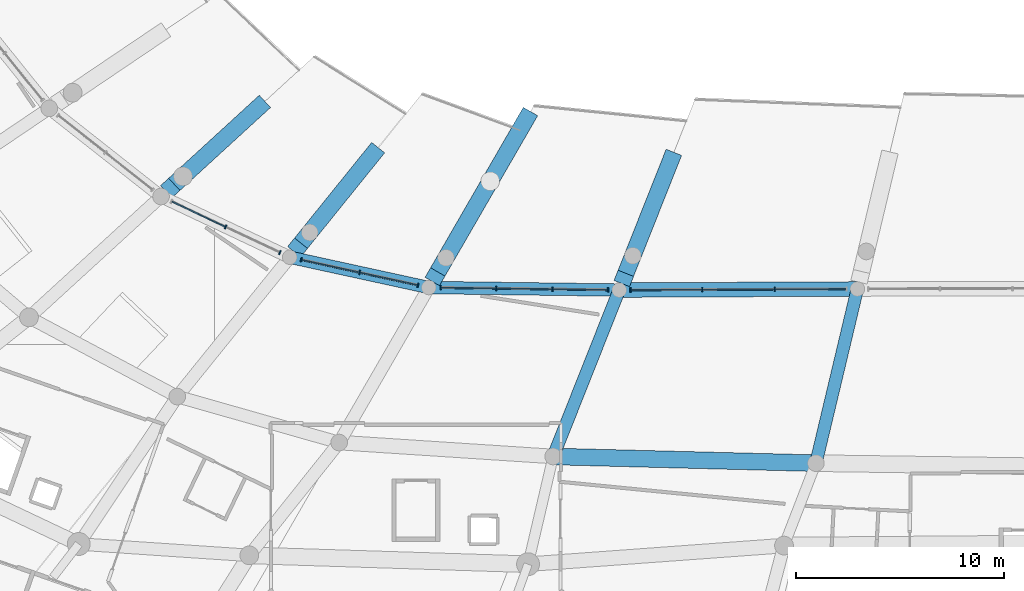
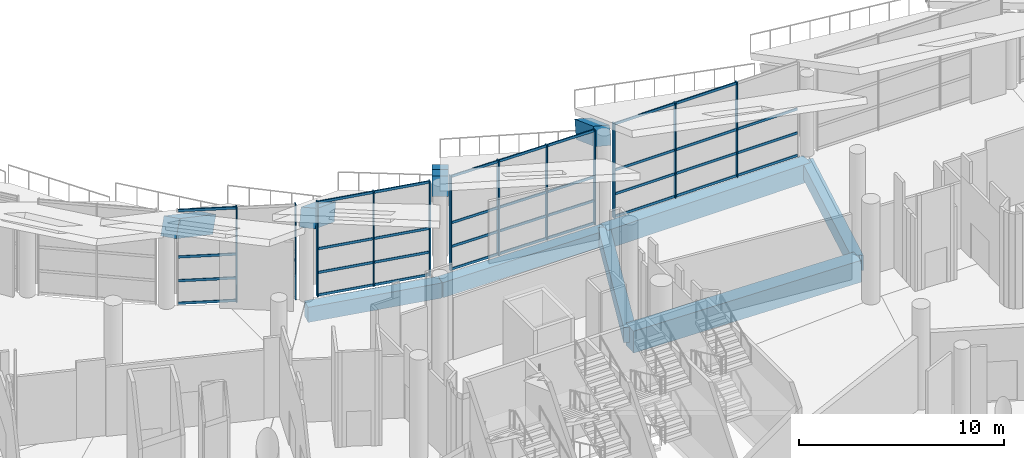
# One storey, part 17 of 249: 47 members, 11 beams, 4 elements without a shape of their own.
"""IFC4 building model written with IfcOpenShell, lengths in metres."""

import ifcopenshell
import ifcopenshell.guid

model = None  # the IFC model being written
_history = None  # IfcOwnerHistory: only IFC2X3 demands one
_inside = {}  # id of a spatial element -> (the spatial element, [elements in it])
_under = {}  # id of a project, library or spatial element -> (it, [spatial elements below it])
_declared = {}  # id of a project -> (the project, [libraries it declares])
_typed = {}  # id of a type object -> (the type object, [elements of that type])
_made_of = {}  # id of a material, layer set ... -> (it, [elements and type objects made of it])


def new_model(schema):
    """Start an empty IFC model of exactly this schema.

    Asked for "IFC4X3", IfcOpenShell would pick the latest addendum, in which some entities
    have other attributes; the version numbers below select the first issue.
    IFC2X3 requires an IfcOwnerHistory on every rooted entity: one is made here for all.
    """
    global model, _history
    if schema == "IFC4X3":
        model = ifcopenshell.file(schema_version=(4, 3, 0, 0))
    else:
        model = ifcopenshell.file(schema=schema)
    _inside.clear()
    _under.clear()
    _declared.clear()
    _typed.clear()
    _made_of.clear()
    _history = None
    if model.schema == "IFC2X3":
        org = make("IfcOrganization", Name="unknown")
        user = make(
            "IfcPersonAndOrganization",
            ThePerson=make("IfcPerson", FamilyName="unknown"),
            TheOrganization=org,
        )
        app = make(
            "IfcApplication",
            ApplicationDeveloper=org,
            Version="unknown",
            ApplicationFullName="unknown",
            ApplicationIdentifier="unknown",
        )
        _history = make(
            "IfcOwnerHistory",
            OwningUser=user,
            OwningApplication=app,
            ChangeAction="ADDED",
            CreationDate=0,
        )
    return model


def make(cls, **values):
    """One entity of the class cls with the attributes given. An attribute that is None is left unset."""
    return model.create_entity(
        cls, **{name: value for name, value in values.items() if value is not None}
    )


def rooted(cls, **values):
    """An entity with a GlobalId (a new one), such as an element, a storey or a relation."""
    return make(cls, GlobalId=ifcopenshell.guid.new(), OwnerHistory=_history, **values)


def si_unit(unit_type, name, prefix=None):
    """IfcSIUnit, for example si_unit("LENGTHUNIT", "METRE", prefix="MILLI")."""
    return make("IfcSIUnit", UnitType=unit_type, Prefix=prefix, Name=name)


def assignment(units):
    """IfcUnitAssignment: the units of a project."""
    return None if units is None else make("IfcUnitAssignment", Units=units)


def point(xyz):
    """IfcCartesianPoint."""
    return None if xyz is None else make("IfcCartesianPoint", Coordinates=xyz)


def direction(xyz):
    """IfcDirection."""
    return None if xyz is None else make("IfcDirection", DirectionRatios=xyz)


def frame(location, z_axis=None, x_axis=None):
    """IfcAxis2Placement3D, a coordinate frame: its origin and axes. An axis left out is left unset."""
    return make(
        "IfcAxis2Placement3D",
        Location=point(location),
        Axis=direction(z_axis),
        RefDirection=direction(x_axis),
    )


def frame_2d(location, x_axis=None):
    """IfcAxis2Placement2D, a coordinate frame in the plane: its origin and x axis."""
    return make(
        "IfcAxis2Placement2D", Location=point(location), RefDirection=direction(x_axis)
    )


def origin():
    """The frame at (0, 0, 0) with its axes left unset."""
    return frame((0.0, 0.0, 0.0))


def origin_2d():
    """The frame at (0, 0) in the plane with its x axis left unset."""
    return frame_2d((0.0, 0.0))


def place(relative_to, where):
    """IfcLocalPlacement: puts the frame where relative to a parent placement (None: the world)."""
    return make(
        "IfcLocalPlacement", PlacementRelTo=relative_to, RelativePlacement=where
    )


def context(
    kind, dimensions, precision=None, world=None, true_north=None, identifier=None
):
    """IfcGeometricRepresentationContext, for example the 3D "Model" context."""
    return make(
        "IfcGeometricRepresentationContext",
        ContextIdentifier=identifier,
        ContextType=kind,
        CoordinateSpaceDimension=dimensions,
        Precision=precision,
        WorldCoordinateSystem=world,
        TrueNorth=true_north,
    )


def subcontext(parent, identifier, kind, view, scale=None):
    """IfcGeometricRepresentationSubContext, for example "Body" below "Model"."""
    return make(
        "IfcGeometricRepresentationSubContext",
        ContextIdentifier=identifier,
        ContextType=kind,
        ParentContext=parent,
        TargetScale=scale,
        TargetView=view,
    )


def project(units=None, contexts=None):
    """IfcProject with its units and contexts."""
    return rooted(
        "IfcProject",
        Name="project",
        RepresentationContexts=contexts,
        UnitsInContext=assignment(units),
    )


def spatial(cls, under=None, at=None, **own):
    """A site, building, storey or space (cls), placed at a placement, below another one or the project."""
    s = rooted(cls, ObjectPlacement=at, **own)
    if under is not None:
        _under.setdefault(under.id(), (under, []))[1].append(s)
    return s


def profile(cls, at=None, kind="AREA", **sizes):
    """A parametric profile (cls). Its sizes go by their IFC names, for example OverallWidth=200.0."""
    return make(cls, ProfileType=kind, Position=at, **sizes)


def rectangle(**sizes):
    """IfcRectangleProfileDef."""
    return profile("IfcRectangleProfileDef", **sizes)


def extrude(swept, where, along, depth):
    """IfcExtrudedAreaSolid: the profile swept, set in the frame where, extruded along a direction by depth."""
    return make(
        "IfcExtrudedAreaSolid",
        SweptArea=swept,
        Position=where,
        ExtrudedDirection=direction(along),
        Depth=depth,
    )


def shape(context_of_items, identifier, shape_type, items):
    """IfcShapeRepresentation: the items that make up one representation, for example the "Body"."""
    return make(
        "IfcShapeRepresentation",
        ContextOfItems=context_of_items,
        RepresentationIdentifier=identifier,
        RepresentationType=shape_type,
        Items=items,
    )


def material(Name=None, Category=None):
    """IfcMaterial."""
    return make("IfcMaterial", Name=Name, Category=Category)


def layer(
    of_material, thickness, ventilated=None, Name=None, Category=None, Priority=None
):
    """IfcMaterialLayer: one layer of a wall or slab, of a material (None: an air gap)."""
    return make(
        "IfcMaterialLayer",
        Material=of_material,
        LayerThickness=thickness,
        IsVentilated=ventilated,
        Name=Name,
        Category=Category,
        Priority=Priority,
    )


def layer_set(layers, Name=None):
    """IfcMaterialLayerSet."""
    return make("IfcMaterialLayerSet", MaterialLayers=layers, LayerSetName=Name)


def material_profile(
    of_material, cross_section, Name=None, Category=None, Priority=None
):
    """IfcMaterialProfile: a cross section and its material."""
    return make(
        "IfcMaterialProfile",
        Name=Name,
        Material=of_material,
        Profile=cross_section,
        Priority=Priority,
        Category=Category,
    )


def profile_set(profiles, Name=None, composite=None):
    """IfcMaterialProfileSet."""
    return make(
        "IfcMaterialProfileSet",
        Name=Name,
        MaterialProfiles=profiles,
        CompositeProfile=composite,
    )


def made_of(thing, what):
    """Note that an element or type object is made of a material, layer set ...; save() writes the relation."""
    if what is not None:
        _made_of.setdefault(what.id(), (what, []))[1].append(thing)
    return thing


def type_object(cls, material=None, **own):
    """A type object (cls), such as IfcWallType, which elements share."""
    return made_of(rooted(cls, **own), material)


def element(
    cls,
    number,
    at=None,
    inside=None,
    cuts=None,
    type_object=None,
    material=None,
    context=None,
    identifier="Body",
    shape_type=None,
    held_by="IfcProductDefinitionShape",
    body=None,
    shapes=None,
    **own,
):
    """One element of the class cls, such as IfcWall. Its Tag is "e" and its number.

    at: its placement. inside: the storey or other place that contains it. cuts: it is an
    opening in that element (IfcRelVoidsElement). A single representation is given by context,
    identifier, shape_type and body (its items); several are given by shapes. held_by: the class
    of the entity that holds the representations. save() writes the other relations.
    """
    e = rooted(cls, Tag="e%d" % number, ObjectPlacement=at, **own)
    if body is not None:
        shapes = [shape(context, identifier, shape_type, body)]
    if shapes is not None:
        e.Representation = make(held_by, Representations=shapes)
    if inside is not None:
        _inside.setdefault(inside.id(), (inside, []))[1].append(e)
    if cuts is not None:
        rooted(
            "IfcRelVoidsElement", RelatingBuildingElement=cuts, RelatedOpeningElement=e
        )
    if type_object is not None:
        _typed.setdefault(type_object.id(), (type_object, []))[1].append(e)
    return made_of(e, material)


def aggregate(whole, parts):
    """IfcRelAggregates: a whole, such as a stair, and the parts it consists of."""
    return rooted("IfcRelAggregates", RelatingObject=whole, RelatedObjects=parts)


def save(model, path):
    """Write the relations noted so far, then the file.

    IfcRelAggregates (storeys below a building ...), IfcRelContainedInSpatialStructure (elements
    in a storey), IfcRelDefinesByType, IfcRelAssociatesMaterial and IfcRelDeclares: one each for
    every whole, place, type object, material and project.
    """
    for whole, parts in _under.values():
        aggregate(whole, parts)
    for where, things in _inside.values():
        rooted(
            "IfcRelContainedInSpatialStructure",
            RelatedElements=things,
            RelatingStructure=where,
        )
    for kind, things in _typed.values():
        rooted("IfcRelDefinesByType", RelatedObjects=things, RelatingType=kind)
    for what, things in _made_of.values():
        rooted("IfcRelAssociatesMaterial", RelatedObjects=things, RelatingMaterial=what)
    for by, libraries in _declared.values():
        rooted("IfcRelDeclares", RelatingContext=by, RelatedDefinitions=libraries)
    model.write(path)


model = new_model("IFC4")

# Units and contexts
model_context = context("Model", 3, precision=1e-05, world=origin(), true_north=direction((0.0, 1.0)))
body_context = subcontext(model_context, "Body", "Model", "MODEL_VIEW")
ifc_project = project(units=[si_unit("LENGTHUNIT", "METRE"), si_unit("AREAUNIT", "SQUARE_METRE"), si_unit("VOLUMEUNIT", "CUBIC_METRE"), si_unit("PLANEANGLEUNIT", "RADIAN"), si_unit("MASSUNIT", "GRAM", prefix="KILO")], contexts=[model_context])

# Site, building, storey
site_placement = place(None, origin())
site = spatial("IfcSite", under=ifc_project, at=site_placement, CompositionType="ELEMENT")
building_placement = place(site_placement, origin())
building = spatial("IfcBuilding", under=site, at=building_placement, Name="Meseta Stadium", CompositionType="ELEMENT")
storey_placement = place(building_placement, frame((0.0, 0.0, 12.0)))
storey = spatial("IfcBuildingStorey", under=building, at=storey_placement, Name="L02", CompositionType="ELEMENT", Elevation=12.0)

# Curtain wall, members
ifc_material_1 = material(Name="Aluminium", Category="aluminium")
ifc_layer = layer(ifc_material_1, 0.199951171875)
ifc_layer_set = layer_set([ifc_layer], Name="Suite glazing curtain wall")
curtain_wall_type = type_object("IfcCurtainWallType", Name="Suite glazing curtain wall", PredefinedType="NOTDEFINED", material=ifc_layer_set)
curtain_wall_1_placement = place(storey_placement, origin())
curtain_wall_1 = element("IfcCurtainWall", 1, at=curtain_wall_1_placement, inside=storey, type_object=curtain_wall_type, Name="Suite glazing bay 41", PredefinedType="NOTDEFINED")
ifc_material_2 = material(Name="Aluminium", Category="aluminium")
ifc_material_profile_1 = material_profile(ifc_material_2, rectangle(XDim=0.199951171875, YDim=0.06005859375, at=origin_2d()), Name="CW 200x60")
ifc_profile_set_1 = profile_set([ifc_material_profile_1], Name="Aluminium")
member_type_1 = type_object("IfcMemberType", Name="CW mullion 60x200", PredefinedType="MULLION", material=ifc_profile_set_1)
member_1_placement = place(storey_placement, frame((-47.4697265625, -74.352783203125, 0.0), z_axis=(0.0, 0.0, 1.0), x_axis=(0.426837356076, 0.904328409074, 0.0)))
member_1 = element("IfcMember", 2, at=member_1_placement, type_object=member_type_1, Name="CWS mullion 2", PredefinedType="MULLION", context=body_context, shape_type="SweptSolid", body=[
    extrude(rectangle(XDim=0.199951171875, YDim=0.06005859375, at=origin_2d()), origin(), (0.0, 0.0, 1.0), 5.64990234375),
])
member_2_placement = place(storey_placement, frame((-44.86279296875, -75.583251953125, 0.0), z_axis=(0.0, 0.0, 1.0), x_axis=(0.426837356076, 0.904328409074, 0.0)))
member_2 = element("IfcMember", 3, at=member_2_placement, type_object=member_type_1, Name="CWS mullion 3", PredefinedType="MULLION", context=body_context, shape_type="SweptSolid", body=[
    extrude(rectangle(XDim=0.199951171875, YDim=0.06005859375, at=origin_2d()), origin(), (0.0, 0.0, 1.0), 5.64990234375),
])

curtain_wall_2_placement = place(storey_placement, origin())
curtain_wall_2 = element("IfcCurtainWall", 4, at=curtain_wall_2_placement, inside=storey, type_object=curtain_wall_type, Name="Suite glazing bay 42", PredefinedType="NOTDEFINED")
member_3_placement = place(storey_placement, frame((-43.83740234375, -75.9267578125, 0.0), z_axis=(0.0, 0.0, 1.0), x_axis=(0.21291694712, 0.977070301273, 0.0)))
member_3 = element("IfcMember", 5, at=member_3_placement, type_object=member_type_1, Name="CWS mullion 1", PredefinedType="MULLION", context=body_context, shape_type="SweptSolid", body=[
    extrude(rectangle(XDim=0.199951171875, YDim=0.06005859375, at=origin_2d()), origin(), (0.0, 0.0, 1.0), 5.64990234375),
])
member_4_placement = place(storey_placement, frame((-41.034912109375, -76.53759765625, 0.0), z_axis=(0.0, 0.0, 1.0), x_axis=(0.21291694712, 0.977070301273, 0.0)))
member_4 = element("IfcMember", 6, at=member_4_placement, type_object=member_type_1, Name="CWS mullion 2", PredefinedType="MULLION", context=body_context, shape_type="SweptSolid", body=[
    extrude(rectangle(XDim=0.199951171875, YDim=0.06005859375, at=origin_2d()), origin(), (0.0, 0.0, 1.0), 5.64990234375),
])
member_5_placement = place(storey_placement, frame((-38.232421875, -77.148193359375, 0.0), z_axis=(0.0, 0.0, 1.0), x_axis=(0.21291694712, 0.977070301273, 0.0)))
member_5 = element("IfcMember", 7, at=member_5_placement, type_object=member_type_1, Name="CWS mullion 3", PredefinedType="MULLION", context=body_context, shape_type="SweptSolid", body=[
    extrude(rectangle(XDim=0.199951171875, YDim=0.06005859375, at=origin_2d()), origin(), (0.0, 0.0, 1.0), 5.64990234375),
])

curtain_wall_3_placement = place(storey_placement, origin())
curtain_wall_3 = element("IfcCurtainWall", 8, at=curtain_wall_3_placement, inside=storey, type_object=curtain_wall_type, Name="Suite glazing bay 43", PredefinedType="NOTDEFINED")
member_6_placement = place(storey_placement, frame((-37.1328125, -77.269287109375, 0.0), z_axis=(0.0, 0.0, 1.0), x_axis=(0.013281177042, 0.999911801279, 0.0)))
member_6 = element("IfcMember", 9, at=member_6_placement, type_object=member_type_1, Name="CWS mullion 1", PredefinedType="MULLION", context=body_context, shape_type="SweptSolid", body=[
    extrude(rectangle(XDim=0.199951171875, YDim=0.06005859375, at=origin_2d()), origin(), (0.0, 0.0, 1.0), 5.64990234375),
])
member_7_placement = place(storey_placement, frame((-34.4677734375, -77.3046875, 0.0), z_axis=(0.0, 0.0, 1.0), x_axis=(0.013281177042, 0.999911801279, 0.0)))
member_7 = element("IfcMember", 10, at=member_7_placement, type_object=member_type_1, Name="CWS mullion 2", PredefinedType="MULLION", context=body_context, shape_type="SweptSolid", body=[
    extrude(rectangle(XDim=0.199951171875, YDim=0.06005859375, at=origin_2d()), origin(), (0.0, 0.0, 1.0), 5.64990234375),
])
member_8_placement = place(storey_placement, frame((-31.7724609375, -77.340576171875, 0.0), z_axis=(0.0, 0.0, 1.0), x_axis=(0.013281177042, 0.999911801279, 0.0)))
member_8 = element("IfcMember", 11, at=member_8_placement, type_object=member_type_1, Name="CWS mullion 3", PredefinedType="MULLION", context=body_context, shape_type="SweptSolid", body=[
    extrude(rectangle(XDim=0.199951171875, YDim=0.06005859375, at=origin_2d()), origin(), (0.0, 0.0, 1.0), 5.64990234375),
])
member_9_placement = place(storey_placement, frame((-29.107421875, -77.3759765625, 0.0), z_axis=(0.0, 0.0, 1.0), x_axis=(0.013281177042, 0.999911801279, 0.0)))
member_9 = element("IfcMember", 12, at=member_9_placement, type_object=member_type_1, Name="CWS mullion 4", PredefinedType="MULLION", context=body_context, shape_type="SweptSolid", body=[
    extrude(rectangle(XDim=0.199951171875, YDim=0.06005859375, at=origin_2d()), origin(), (0.0, 0.0, 1.0), 5.64990234375),
])

curtain_wall_4_placement = place(storey_placement, origin())
curtain_wall_4 = element("IfcCurtainWall", 13, at=curtain_wall_4_placement, inside=storey, type_object=curtain_wall_type, Name="Suite glazing bay 44", PredefinedType="NOTDEFINED")
member_10_placement = place(storey_placement, frame((-28.0185546875, -77.380859375, 0.0), z_axis=(0.0, 0.0, 1.0), x_axis=(-0.004468565348, 0.999990015912, 0.0)))
member_10 = element("IfcMember", 14, at=member_10_placement, type_object=member_type_1, Name="CWS mullion 1", PredefinedType="MULLION", context=body_context, shape_type="SweptSolid", body=[
    extrude(rectangle(XDim=0.199951171875, YDim=0.06005859375, at=origin_2d()), origin(), (0.0, 0.0, 1.0), 5.64990234375),
])
member_11_placement = place(storey_placement, frame((-24.572265625, -77.365478515625, 0.0), z_axis=(0.0, 0.0, 1.0), x_axis=(-0.004468565348, 0.999990015912, 0.0)))
member_11 = element("IfcMember", 15, at=member_11_placement, type_object=member_type_1, Name="CWS mullion 2", PredefinedType="MULLION", context=body_context, shape_type="SweptSolid", body=[
    extrude(rectangle(XDim=0.199951171875, YDim=0.06005859375, at=origin_2d()), origin(), (0.0, 0.0, 1.0), 5.64990234375),
])
member_12_placement = place(storey_placement, frame((-21.095947265625, -77.349853515625, 0.0), z_axis=(0.0, 0.0, 1.0), x_axis=(-0.004468565348, 0.999990015912, 0.0)))
member_12 = element("IfcMember", 16, at=member_12_placement, type_object=member_type_1, Name="CWS mullion 3", PredefinedType="MULLION", context=body_context, shape_type="SweptSolid", body=[
    extrude(rectangle(XDim=0.199951171875, YDim=0.06005859375, at=origin_2d()), origin(), (0.0, 0.0, 1.0), 5.64990234375),
])

# Member
ifc_material_3 = material(Name="Aluminium", Category="aluminium")
ifc_material_profile_2 = material_profile(ifc_material_3, rectangle(XDim=0.06005859375, YDim=0.14990234375, at=origin_2d()), Name="CW 60x150")
ifc_profile_set_2 = profile_set([ifc_material_profile_2], Name="Aluminium")
member_type_2 = type_object("IfcMemberType", Name="CW transom 60x150", PredefinedType="USERDEFINED", material=ifc_profile_set_2)
member_13_placement = place(storey_placement, frame((-50.04931640625, -73.13525390625, 0.074951171875), z_axis=(0.904318213738, -0.426858955982, 0.0), x_axis=(0.426858955982, 0.904318213738, 0.0)))
member_13 = element("IfcMember", 17, at=member_13_placement, type_object=member_type_2, Name="CWS transom 1.1", ObjectType="TRANSOM", PredefinedType="USERDEFINED", context=body_context, shape_type="SweptSolid", body=[
    extrude(rectangle(XDim=0.06005859375, YDim=0.14990234375, at=origin_2d()), origin(), (0.0, 0.0, 1.0), 2.822509765625),
])

member_14_placement = place(storey_placement, frame((-50.04931640625, -73.13525390625, 1.41259765625), z_axis=(0.904318213738, -0.426858955982, 0.0), x_axis=(0.426858955982, 0.904318213738, 0.0)))
member_14 = element("IfcMember", 18, at=member_14_placement, type_object=member_type_2, Name="CWS transom 1.2", ObjectType="TRANSOM", PredefinedType="USERDEFINED", context=body_context, shape_type="SweptSolid", body=[
    extrude(rectangle(XDim=0.06005859375, YDim=0.14990234375, at=origin_2d()), origin(), (0.0, 0.0, 1.0), 2.822509765625),
])

member_15_placement = place(storey_placement, frame((-50.04931640625, -73.13525390625, 2.824951171875), z_axis=(0.904318213738, -0.426858955982, 0.0), x_axis=(0.426858955982, 0.904318213738, 0.0)))
member_15 = element("IfcMember", 19, at=member_15_placement, type_object=member_type_2, Name="CWS transom 1.3", ObjectType="TRANSOM", PredefinedType="USERDEFINED", context=body_context, shape_type="SweptSolid", body=[
    extrude(rectangle(XDim=0.06005859375, YDim=0.14990234375, at=origin_2d()), origin(), (0.0, 0.0, 1.0), 2.822509765625),
])

member_16_placement = place(storey_placement, frame((-50.04931640625, -73.13525390625, 5.574951171875), z_axis=(0.904318213738, -0.426858955982, 0.0), x_axis=(0.426858955982, 0.904318213738, 0.0)))
member_16 = element("IfcMember", 20, at=member_16_placement, type_object=member_type_2, Name="CWS transom 1.4", ObjectType="TRANSOM", PredefinedType="USERDEFINED", context=body_context, shape_type="SweptSolid", body=[
    extrude(rectangle(XDim=0.06005859375, YDim=0.14990234375, at=origin_2d()), origin(), (0.0, 0.0, 1.0), 2.822509765625),
])

aggregate(curtain_wall_1, [member_1, member_2, member_13, member_14, member_15, member_16])

member_17_placement = place(storey_placement, frame((-43.80810546875, -75.933349609375, 0.074951171875), z_axis=(0.977072677928, -0.212906040417, 0.0), x_axis=(0.212906040417, 0.977072677928, 0.0)))
member_17 = element("IfcMember", 21, at=member_17_placement, type_object=member_type_2, Name="CWS transom 1.1", ObjectType="TRANSOM", PredefinedType="USERDEFINED", context=body_context, shape_type="SweptSolid", body=[
    extrude(rectangle(XDim=0.06005859375, YDim=0.14990234375, at=origin_2d()), origin(), (0.0, 0.0, 1.0), 2.808349609375),
])

member_18_placement = place(storey_placement, frame((-43.80810546875, -75.933349609375, 1.41259765625), z_axis=(0.977072677928, -0.212906040417, 0.0), x_axis=(0.212906040417, 0.977072677928, 0.0)))
member_18 = element("IfcMember", 22, at=member_18_placement, type_object=member_type_2, Name="CWS transom 1.2", ObjectType="TRANSOM", PredefinedType="USERDEFINED", context=body_context, shape_type="SweptSolid", body=[
    extrude(rectangle(XDim=0.06005859375, YDim=0.14990234375, at=origin_2d()), origin(), (0.0, 0.0, 1.0), 2.808349609375),
])

member_19_placement = place(storey_placement, frame((-43.80810546875, -75.933349609375, 2.824951171875), z_axis=(0.977072677928, -0.212906040417, 0.0), x_axis=(0.212906040417, 0.977072677928, 0.0)))
member_19 = element("IfcMember", 23, at=member_19_placement, type_object=member_type_2, Name="CWS transom 1.3", ObjectType="TRANSOM", PredefinedType="USERDEFINED", context=body_context, shape_type="SweptSolid", body=[
    extrude(rectangle(XDim=0.06005859375, YDim=0.14990234375, at=origin_2d()), origin(), (0.0, 0.0, 1.0), 2.808349609375),
])

member_20_placement = place(storey_placement, frame((-43.80810546875, -75.933349609375, 5.574951171875), z_axis=(0.977072677928, -0.212906040417, 0.0), x_axis=(0.212906040417, 0.977072677928, 0.0)))
member_20 = element("IfcMember", 24, at=member_20_placement, type_object=member_type_2, Name="CWS transom 1.4", ObjectType="TRANSOM", PredefinedType="USERDEFINED", context=body_context, shape_type="SweptSolid", body=[
    extrude(rectangle(XDim=0.06005859375, YDim=0.14990234375, at=origin_2d()), origin(), (0.0, 0.0, 1.0), 2.808349609375),
])

member_21_placement = place(storey_placement, frame((-41.005615234375, -76.5439453125, 0.074951171875), z_axis=(0.977072677928, -0.212906040417, 0.0), x_axis=(0.212906040417, 0.977072677928, 0.0)))
member_21 = element("IfcMember", 25, at=member_21_placement, type_object=member_type_2, Name="CWS transom 2.1", ObjectType="TRANSOM", PredefinedType="USERDEFINED", context=body_context, shape_type="SweptSolid", body=[
    extrude(rectangle(XDim=0.06005859375, YDim=0.14990234375, at=origin_2d()), origin(), (0.0, 0.0, 1.0), 2.808349609375),
])

member_22_placement = place(storey_placement, frame((-41.005615234375, -76.5439453125, 1.41259765625), z_axis=(0.977072677928, -0.212906040417, 0.0), x_axis=(0.212906040417, 0.977072677928, 0.0)))
member_22 = element("IfcMember", 26, at=member_22_placement, type_object=member_type_2, Name="CWS transom 2.2", ObjectType="TRANSOM", PredefinedType="USERDEFINED", context=body_context, shape_type="SweptSolid", body=[
    extrude(rectangle(XDim=0.06005859375, YDim=0.14990234375, at=origin_2d()), origin(), (0.0, 0.0, 1.0), 2.808349609375),
])

member_23_placement = place(storey_placement, frame((-41.005615234375, -76.5439453125, 2.824951171875), z_axis=(0.977072677928, -0.212906040417, 0.0), x_axis=(0.212906040417, 0.977072677928, 0.0)))
member_23 = element("IfcMember", 27, at=member_23_placement, type_object=member_type_2, Name="CWS transom 2.3", ObjectType="TRANSOM", PredefinedType="USERDEFINED", context=body_context, shape_type="SweptSolid", body=[
    extrude(rectangle(XDim=0.06005859375, YDim=0.14990234375, at=origin_2d()), origin(), (0.0, 0.0, 1.0), 2.808349609375),
])

member_24_placement = place(storey_placement, frame((-41.005615234375, -76.5439453125, 5.574951171875), z_axis=(0.977072677928, -0.212906040417, 0.0), x_axis=(0.212906040417, 0.977072677928, 0.0)))
member_24 = element("IfcMember", 28, at=member_24_placement, type_object=member_type_2, Name="CWS transom 2.4", ObjectType="TRANSOM", PredefinedType="USERDEFINED", context=body_context, shape_type="SweptSolid", body=[
    extrude(rectangle(XDim=0.06005859375, YDim=0.14990234375, at=origin_2d()), origin(), (0.0, 0.0, 1.0), 2.808349609375),
])

aggregate(curtain_wall_2, [member_3, member_4, member_5, member_17, member_18, member_19, member_20, member_21, member_22, member_23, member_24])

member_25_placement = place(storey_placement, frame((-37.102783203125, -77.269775390625, 0.074951171875), z_axis=(0.999911472382, -0.013305915948, 0.0), x_axis=(0.013305915948, 0.999911472382, 0.0)))
member_25 = element("IfcMember", 29, at=member_25_placement, type_object=member_type_2, Name="CWS transom 1.1", ObjectType="TRANSOM", PredefinedType="USERDEFINED", context=body_context, shape_type="SweptSolid", body=[
    extrude(rectangle(XDim=0.06005859375, YDim=0.14990234375, at=origin_2d()), origin(), (0.0, 0.0, 1.0), 2.60546875),
])

member_26_placement = place(storey_placement, frame((-37.102783203125, -77.269775390625, 1.41259765625), z_axis=(0.999911472382, -0.013305915948, 0.0), x_axis=(0.013305915948, 0.999911472382, 0.0)))
member_26 = element("IfcMember", 30, at=member_26_placement, type_object=member_type_2, Name="CWS transom 1.2", ObjectType="TRANSOM", PredefinedType="USERDEFINED", context=body_context, shape_type="SweptSolid", body=[
    extrude(rectangle(XDim=0.06005859375, YDim=0.14990234375, at=origin_2d()), origin(), (0.0, 0.0, 1.0), 2.60546875),
])

member_27_placement = place(storey_placement, frame((-37.102783203125, -77.269775390625, 2.824951171875), z_axis=(0.999911472382, -0.013305915948, 0.0), x_axis=(0.013305915948, 0.999911472382, 0.0)))
member_27 = element("IfcMember", 31, at=member_27_placement, type_object=member_type_2, Name="CWS transom 1.3", ObjectType="TRANSOM", PredefinedType="USERDEFINED", context=body_context, shape_type="SweptSolid", body=[
    extrude(rectangle(XDim=0.06005859375, YDim=0.14990234375, at=origin_2d()), origin(), (0.0, 0.0, 1.0), 2.60546875),
])

member_28_placement = place(storey_placement, frame((-37.102783203125, -77.269775390625, 5.574951171875), z_axis=(0.999911472382, -0.013305915948, 0.0), x_axis=(0.013305915948, 0.999911472382, 0.0)))
member_28 = element("IfcMember", 32, at=member_28_placement, type_object=member_type_2, Name="CWS transom 1.4", ObjectType="TRANSOM", PredefinedType="USERDEFINED", context=body_context, shape_type="SweptSolid", body=[
    extrude(rectangle(XDim=0.06005859375, YDim=0.14990234375, at=origin_2d()), origin(), (0.0, 0.0, 1.0), 2.60546875),
])

member_29_placement = place(storey_placement, frame((-34.437744140625, -77.30517578125, 0.074951171875), z_axis=(0.999912255463, -0.013246938348, 0.0), x_axis=(0.013246938348, 0.999912255463, 0.0)))
member_29 = element("IfcMember", 33, at=member_29_placement, type_object=member_type_2, Name="CWS transom 2.1", ObjectType="TRANSOM", PredefinedType="USERDEFINED", context=body_context, shape_type="SweptSolid", body=[
    extrude(rectangle(XDim=0.06005859375, YDim=0.14990234375, at=origin_2d()), origin(), (0.0, 0.0, 1.0), 2.635498046875),
])

member_30_placement = place(storey_placement, frame((-34.437744140625, -77.30517578125, 1.41259765625), z_axis=(0.999912255463, -0.013246938348, 0.0), x_axis=(0.013246938348, 0.999912255463, 0.0)))
member_30 = element("IfcMember", 34, at=member_30_placement, type_object=member_type_2, Name="CWS transom 2.2", ObjectType="TRANSOM", PredefinedType="USERDEFINED", context=body_context, shape_type="SweptSolid", body=[
    extrude(rectangle(XDim=0.06005859375, YDim=0.14990234375, at=origin_2d()), origin(), (0.0, 0.0, 1.0), 2.635498046875),
])

member_31_placement = place(storey_placement, frame((-34.437744140625, -77.30517578125, 2.824951171875), z_axis=(0.999912255463, -0.013246938348, 0.0), x_axis=(0.013246938348, 0.999912255463, 0.0)))
member_31 = element("IfcMember", 35, at=member_31_placement, type_object=member_type_2, Name="CWS transom 2.3", ObjectType="TRANSOM", PredefinedType="USERDEFINED", context=body_context, shape_type="SweptSolid", body=[
    extrude(rectangle(XDim=0.06005859375, YDim=0.14990234375, at=origin_2d()), origin(), (0.0, 0.0, 1.0), 2.635498046875),
])

member_32_placement = place(storey_placement, frame((-34.437744140625, -77.30517578125, 5.574951171875), z_axis=(0.999912255463, -0.013246938348, 0.0), x_axis=(0.013246938348, 0.999912255463, 0.0)))
member_32 = element("IfcMember", 36, at=member_32_placement, type_object=member_type_2, Name="CWS transom 2.4", ObjectType="TRANSOM", PredefinedType="USERDEFINED", context=body_context, shape_type="SweptSolid", body=[
    extrude(rectangle(XDim=0.06005859375, YDim=0.14990234375, at=origin_2d()), origin(), (0.0, 0.0, 1.0), 2.635498046875),
])

member_33_placement = place(storey_placement, frame((-31.742431640625, -77.341064453125, 0.074951171875), z_axis=(0.999912698337, -0.013213466773, 0.0), x_axis=(0.013213466773, 0.999912698337, 0.0)))
member_33 = element("IfcMember", 37, at=member_33_placement, type_object=member_type_2, Name="CWS transom 3.1", ObjectType="TRANSOM", PredefinedType="USERDEFINED", context=body_context, shape_type="SweptSolid", body=[
    extrude(rectangle(XDim=0.06005859375, YDim=0.14990234375, at=origin_2d()), origin(), (0.0, 0.0, 1.0), 2.605224609375),
])

member_34_placement = place(storey_placement, frame((-31.742431640625, -77.341064453125, 1.41259765625), z_axis=(0.999912698337, -0.013213466773, 0.0), x_axis=(0.013213466773, 0.999912698337, 0.0)))
member_34 = element("IfcMember", 38, at=member_34_placement, type_object=member_type_2, Name="CWS transom 3.2", ObjectType="TRANSOM", PredefinedType="USERDEFINED", context=body_context, shape_type="SweptSolid", body=[
    extrude(rectangle(XDim=0.06005859375, YDim=0.14990234375, at=origin_2d()), origin(), (0.0, 0.0, 1.0), 2.605224609375),
])

member_35_placement = place(storey_placement, frame((-31.742431640625, -77.341064453125, 2.824951171875), z_axis=(0.999912698337, -0.013213466773, 0.0), x_axis=(0.013213466773, 0.999912698337, 0.0)))
member_35 = element("IfcMember", 39, at=member_35_placement, type_object=member_type_2, Name="CWS transom 3.3", ObjectType="TRANSOM", PredefinedType="USERDEFINED", context=body_context, shape_type="SweptSolid", body=[
    extrude(rectangle(XDim=0.06005859375, YDim=0.14990234375, at=origin_2d()), origin(), (0.0, 0.0, 1.0), 2.605224609375),
])

member_36_placement = place(storey_placement, frame((-31.742431640625, -77.341064453125, 5.574951171875), z_axis=(0.999912698337, -0.013213466773, 0.0), x_axis=(0.013213466773, 0.999912698337, 0.0)))
member_36 = element("IfcMember", 40, at=member_36_placement, type_object=member_type_2, Name="CWS transom 3.4", ObjectType="TRANSOM", PredefinedType="USERDEFINED", context=body_context, shape_type="SweptSolid", body=[
    extrude(rectangle(XDim=0.06005859375, YDim=0.14990234375, at=origin_2d()), origin(), (0.0, 0.0, 1.0), 2.605224609375),
])

aggregate(curtain_wall_3, [member_6, member_7, member_8, member_9, member_25, member_26, member_27, member_28, member_29, member_30, member_31, member_32, member_33, member_34, member_35, member_36])

member_37_placement = place(storey_placement, frame((-27.988525390625, -77.380615234375, 0.074951171875), z_axis=(0.999990009345, 0.004470034649, 0.0), x_axis=(-0.004470034649, 0.999990009345, 0.0)))
member_37 = element("IfcMember", 41, at=member_37_placement, type_object=member_type_2, Name="CWS transom 1.1", ObjectType="TRANSOM", PredefinedType="USERDEFINED", context=body_context, shape_type="SweptSolid", body=[
    extrude(rectangle(XDim=0.06005859375, YDim=0.14990234375, at=origin_2d()), origin(), (0.0, 0.0, 1.0), 3.38623046875),
])

member_38_placement = place(storey_placement, frame((-27.988525390625, -77.380615234375, 1.41259765625), z_axis=(0.999990009345, 0.004470034649, 0.0), x_axis=(-0.004470034649, 0.999990009345, 0.0)))
member_38 = element("IfcMember", 42, at=member_38_placement, type_object=member_type_2, Name="CWS transom 1.2", ObjectType="TRANSOM", PredefinedType="USERDEFINED", context=body_context, shape_type="SweptSolid", body=[
    extrude(rectangle(XDim=0.06005859375, YDim=0.14990234375, at=origin_2d()), origin(), (0.0, 0.0, 1.0), 3.38623046875),
])

member_39_placement = place(storey_placement, frame((-27.988525390625, -77.380615234375, 2.824951171875), z_axis=(0.999990009345, 0.004470034649, 0.0), x_axis=(-0.004470034649, 0.999990009345, 0.0)))
member_39 = element("IfcMember", 43, at=member_39_placement, type_object=member_type_2, Name="CWS transom 1.3", ObjectType="TRANSOM", PredefinedType="USERDEFINED", context=body_context, shape_type="SweptSolid", body=[
    extrude(rectangle(XDim=0.06005859375, YDim=0.14990234375, at=origin_2d()), origin(), (0.0, 0.0, 1.0), 3.38623046875),
])

member_40_placement = place(storey_placement, frame((-27.988525390625, -77.380615234375, 5.574951171875), z_axis=(0.999990009345, 0.004470034649, 0.0), x_axis=(-0.004470034649, 0.999990009345, 0.0)))
member_40 = element("IfcMember", 44, at=member_40_placement, type_object=member_type_2, Name="CWS transom 1.4", ObjectType="TRANSOM", PredefinedType="USERDEFINED", context=body_context, shape_type="SweptSolid", body=[
    extrude(rectangle(XDim=0.06005859375, YDim=0.14990234375, at=origin_2d()), origin(), (0.0, 0.0, 1.0), 3.38623046875),
])

member_41_placement = place(storey_placement, frame((-24.542236328125, -77.365234375, 0.074951171875), z_axis=(0.999989865021, 0.004502205495, 0.0), x_axis=(-0.004502205495, 0.999989865021, 0.0)))
member_41 = element("IfcMember", 45, at=member_41_placement, type_object=member_type_2, Name="CWS transom 2.1", ObjectType="TRANSOM", PredefinedType="USERDEFINED", context=body_context, shape_type="SweptSolid", body=[
    extrude(rectangle(XDim=0.06005859375, YDim=0.14990234375, at=origin_2d()), origin(), (0.0, 0.0, 1.0), 3.416259765625),
])

member_42_placement = place(storey_placement, frame((-24.542236328125, -77.365234375, 1.41259765625), z_axis=(0.999989865021, 0.004502205495, 0.0), x_axis=(-0.004502205495, 0.999989865021, 0.0)))
member_42 = element("IfcMember", 46, at=member_42_placement, type_object=member_type_2, Name="CWS transom 2.2", ObjectType="TRANSOM", PredefinedType="USERDEFINED", context=body_context, shape_type="SweptSolid", body=[
    extrude(rectangle(XDim=0.06005859375, YDim=0.14990234375, at=origin_2d()), origin(), (0.0, 0.0, 1.0), 3.416259765625),
])

member_43_placement = place(storey_placement, frame((-24.542236328125, -77.365234375, 2.824951171875), z_axis=(0.999989865021, 0.004502205495, 0.0), x_axis=(-0.004502205495, 0.999989865021, 0.0)))
member_43 = element("IfcMember", 47, at=member_43_placement, type_object=member_type_2, Name="CWS transom 2.3", ObjectType="TRANSOM", PredefinedType="USERDEFINED", context=body_context, shape_type="SweptSolid", body=[
    extrude(rectangle(XDim=0.06005859375, YDim=0.14990234375, at=origin_2d()), origin(), (0.0, 0.0, 1.0), 3.416259765625),
])

member_44_placement = place(storey_placement, frame((-24.542236328125, -77.365234375, 5.574951171875), z_axis=(0.999989865021, 0.004502205495, 0.0), x_axis=(-0.004502205495, 0.999989865021, 0.0)))
member_44 = element("IfcMember", 48, at=member_44_placement, type_object=member_type_2, Name="CWS transom 2.4", ObjectType="TRANSOM", PredefinedType="USERDEFINED", context=body_context, shape_type="SweptSolid", body=[
    extrude(rectangle(XDim=0.06005859375, YDim=0.14990234375, at=origin_2d()), origin(), (0.0, 0.0, 1.0), 3.416259765625),
])

member_45_placement = place(storey_placement, frame((-21.06591796875, -77.349609375, 0.074951171875), z_axis=(0.999990010786, 0.004469712398, 0.0), x_axis=(-0.004469712398, 0.999990010786, 0.0)))
member_45 = element("IfcMember", 49, at=member_45_placement, type_object=member_type_2, Name="CWS transom 3.1", ObjectType="TRANSOM", PredefinedType="USERDEFINED", context=body_context, shape_type="SweptSolid", body=[
    extrude(rectangle(XDim=0.06005859375, YDim=0.14990234375, at=origin_2d()), origin(), (0.0, 0.0, 1.0), 3.386474609375),
])

member_46_placement = place(storey_placement, frame((-21.06591796875, -77.349609375, 1.41259765625), z_axis=(0.999990010786, 0.004469712398, 0.0), x_axis=(-0.004469712398, 0.999990010786, 0.0)))
member_46 = element("IfcMember", 50, at=member_46_placement, type_object=member_type_2, Name="CWS transom 3.2", ObjectType="TRANSOM", PredefinedType="USERDEFINED", context=body_context, shape_type="SweptSolid", body=[
    extrude(rectangle(XDim=0.06005859375, YDim=0.14990234375, at=origin_2d()), origin(), (0.0, 0.0, 1.0), 3.386474609375),
])

member_47_placement = place(storey_placement, frame((-21.06591796875, -77.349609375, 2.824951171875), z_axis=(0.999990010786, 0.004469712398, 0.0), x_axis=(-0.004469712398, 0.999990010786, 0.0)))
member_47 = element("IfcMember", 51, at=member_47_placement, type_object=member_type_2, Name="CWS transom 3.3", ObjectType="TRANSOM", PredefinedType="USERDEFINED", context=body_context, shape_type="SweptSolid", body=[
    extrude(rectangle(XDim=0.06005859375, YDim=0.14990234375, at=origin_2d()), origin(), (0.0, 0.0, 1.0), 3.386474609375),
])

aggregate(curtain_wall_4, [member_10, member_11, member_12, member_37, member_38, member_39, member_40, member_41, member_42, member_43, member_44, member_45, member_46, member_47])

# Beams
ifc_material_4 = material(Name="Concrete C40/50", Category="concrete")
ifc_material_profile_3 = material_profile(ifc_material_4, rectangle(XDim=0.60009765625, YDim=0.89990234375, at=origin_2d()), Name="RC 600x900")
ifc_profile_set_3 = profile_set([ifc_material_profile_3], Name="Concrete C40/50")
beam_type_1 = type_object("IfcBeamType", Name="RC beam 600x900", PredefinedType="BEAM", material=ifc_profile_set_3)
beam_1_placement = place(storey_placement, frame((-44.389892578125, -75.806396484375, -0.800048828125), z_axis=(0.977068887475, -0.212923434899, 0.0), x_axis=(0.212923434899, 0.977068887475, 0.0)))
element("IfcBeam", 52, at=beam_1_placement, inside=storey, type_object=beam_type_1, Name="L02 ring beam frame 42 line D", PredefinedType="BEAM", context=body_context, shape_type="SweptSolid", body=[
    extrude(rectangle(XDim=0.60009765625, YDim=0.89990234375, at=origin_2d()), origin(), (0.0, 0.0, 1.0), 6.8349609375),
])
beam_2_placement = place(storey_placement, frame((-37.711669921875, -77.26171875, -0.800048828125), z_axis=(0.999911672388, -0.013290877405, 0.0), x_axis=(0.013290877405, 0.999911672388, 0.0)))
element("IfcBeam", 53, at=beam_2_placement, inside=storey, type_object=beam_type_1, Name="L02 ring beam frame 43 line D", PredefinedType="BEAM", context=body_context, shape_type="SweptSolid", body=[
    extrude(rectangle(XDim=0.60009765625, YDim=0.89990234375, at=origin_2d()), origin(), (0.0, 0.0, 1.0), 9.147705078125),
])
beam_3_placement = place(storey_placement, frame((-28.564697265625, -77.38330078125, -0.800048828125), z_axis=(-0.36885875695, -0.929485458424, 0.0), x_axis=(0.929485458424, -0.36885875695, 0.0)))
element("IfcBeam", 54, at=beam_3_placement, inside=storey, type_object=beam_type_1, Name="L02 radial beam frame 44 line D to E", PredefinedType="BEAM", context=body_context, shape_type="SweptSolid", body=[
    extrude(rectangle(XDim=0.60009765625, YDim=0.89990234375, at=origin_2d()), origin(), (0.0, 0.0, 1.0), 8.599853515625),
])
beam_4_placement = place(storey_placement, frame((-17.126708984375, -77.33203125, -0.800048828125), z_axis=(-0.23161924801, -0.972806519279, 0.0), x_axis=(0.972806519279, -0.23161924801, 0.0)))
element("IfcBeam", 55, at=beam_4_placement, inside=storey, type_object=beam_type_1, Name="L02 radial beam frame 45 line D to E", PredefinedType="BEAM", context=body_context, shape_type="SweptSolid", body=[
    extrude(rectangle(XDim=0.60009765625, YDim=0.89990234375, at=origin_2d()), origin(), (0.0, 0.0, 1.0), 8.60009765625),
])
ifc_material_5 = material(Name="Concrete C40/50", Category="concrete")
ifc_material_profile_4 = material_profile(ifc_material_5, rectangle(XDim=0.699951171875, YDim=1.10009765625, at=origin_2d()), Name="RC 700x1100")
ifc_profile_set_4 = profile_set([ifc_material_profile_4], Name="Concrete C40/50")
beam_type_2 = type_object("IfcBeamType", Name="RC beam 700x1100", PredefinedType="BEAM", material=ifc_profile_set_4)
beam_5_placement = place(storey_placement, frame((-28.564697265625, -77.38330078125, -0.89990234375), z_axis=(0.999989954239, 0.004482345579, 0.0), x_axis=(-0.004482345579, 0.999989954239, 0.0)))
element("IfcBeam", 56, at=beam_5_placement, inside=storey, type_object=beam_type_2, Name="L02 ring beam frame 44 line D", PredefinedType="BEAM", context=body_context, shape_type="SweptSolid", body=[
    extrude(rectangle(XDim=0.699951171875, YDim=1.10009765625, at=origin_2d()), origin(), (0.0, 0.0, 1.0), 11.43798828125),
])
ifc_material_6 = material(Name="Concrete C40/50", Category="concrete")
ifc_material_profile_5 = material_profile(ifc_material_6, rectangle(XDim=0.800048828125, YDim=1.300048828125, at=origin_2d()), Name="RC 800x1300")
ifc_profile_set_5 = profile_set([ifc_material_profile_5], Name="Concrete C40/50")
beam_type_3 = type_object("IfcBeamType", Name="RC beam 800x1300", PredefinedType="BEAM", material=ifc_profile_set_5)
beam_6_placement = place(storey_placement, frame((-31.73681640625, -85.376708984375, -1.0), z_axis=(0.999675497622, -0.02547350496, 0.0), x_axis=(0.02547350496, 0.999675497622, 0.0)))
element("IfcBeam", 57, at=beam_6_placement, inside=storey, type_object=beam_type_3, Name="L02 ring beam frame 44 line E", PredefinedType="BEAM", context=body_context, shape_type="SweptSolid", body=[
    extrude(rectangle(XDim=0.800048828125, YDim=1.300048828125, at=origin_2d()), origin(), (0.0, 0.0, 1.0), 12.622314453125),
])
ifc_material_7 = material(Name="Concrete C40/50", Category="concrete")
ifc_material_profile_6 = material_profile(ifc_material_7, rectangle(XDim=0.800048828125, YDim=1.0, at=origin_2d()), Name="RC 800x1000")
ifc_profile_set_6 = profile_set([ifc_material_profile_6], Name="Concrete C40/50")
beam_type_4 = type_object("IfcBeamType", Name="RC raker upper front 800x1000", PredefinedType="USERDEFINED", material=ifc_profile_set_6)
beam_7_placement = place(storey_placement, frame((-45.777099609375, -68.499755859375, 0.52880859375), z_axis=(-0.625958337263, -0.573037203223, 0.528965522254), x_axis=(0.675239164707, -0.737598854694, 0.0)))
element("IfcBeam", 58, at=beam_7_placement, inside=storey, type_object=beam_type_4, Name="Raker upper front frame 41 upper tier", ObjectType="RAKER", PredefinedType="USERDEFINED", context=body_context, shape_type="SweptSolid", body=[
    extrude(rectangle(XDim=0.800048828125, YDim=1.0, at=origin_2d()), origin(), (0.0, 0.0, 1.0), 6.9521484375),
])
beam_8_placement = place(storey_placement, frame((-40.307861328125, -70.748291015625, 0.67724609375), z_axis=(-0.532988904175, -0.660432847856, 0.528915193107), x_axis=(0.778193176557, -0.628024983548, 0.0)))
element("IfcBeam", 59, at=beam_8_placement, inside=storey, type_object=beam_type_4, Name="Raker upper front frame 42 upper tier", ObjectType="RAKER", PredefinedType="USERDEFINED", context=body_context, shape_type="SweptSolid", body=[
    extrude(rectangle(XDim=0.800048828125, YDim=1.0, at=origin_2d()), origin(), (0.0, 0.0, 1.0), 6.951904296875),
])
beam_9_placement = place(storey_placement, frame((-32.95751953125, -69.036865234375, -0.78564453125), z_axis=(-0.424691026962, -0.734670627064, 0.529052550647), x_axis=(0.865755474215, -0.500467240553, 0.0)))
element("IfcBeam", 60, at=beam_9_placement, inside=storey, type_object=beam_type_4, Name="Raker upper front frame 43 upper tier", ObjectType="RAKER", PredefinedType="USERDEFINED", context=body_context, shape_type="SweptSolid", body=[
    extrude(rectangle(XDim=0.800048828125, YDim=1.0, at=origin_2d()), origin(), (0.0, 0.0, 1.0), 4.245849609375),
])
beam_10_placement = place(storey_placement, frame((-34.7607421875, -72.15625, 1.460693359375), z_axis=(-0.424682874721, -0.734688075037, 0.529034864936), x_axis=(0.865764786309, -0.500451131268, 0.0)))
element("IfcBeam", 61, at=beam_10_placement, inside=storey, type_object=beam_type_4, Name="Raker upper front frame 43 upper tier", ObjectType="RAKER", PredefinedType="USERDEFINED", context=body_context, shape_type="SweptSolid", body=[
    extrude(rectangle(XDim=0.800048828125, YDim=1.0, at=origin_2d()), origin(), (0.0, 0.0, 1.0), 6.241943359375),
])
beam_11_placement = place(storey_placement, frame((-26.03759765625, -71.014404296875, 0.74462890625), z_axis=(-0.312985842876, -0.788744206684, 0.529076968486), x_axis=(0.929493898805, -0.368837487363, 0.0)))
element("IfcBeam", 62, at=beam_11_placement, inside=storey, type_object=beam_type_4, Name="Raker upper front frame 44 upper tier", ObjectType="RAKER", PredefinedType="USERDEFINED", context=body_context, shape_type="SweptSolid", body=[
    extrude(rectangle(XDim=0.800048828125, YDim=1.0, at=origin_2d()), origin(), (0.0, 0.0, 1.0), 7.367431640625),
])

save(model, "model.ifc")
